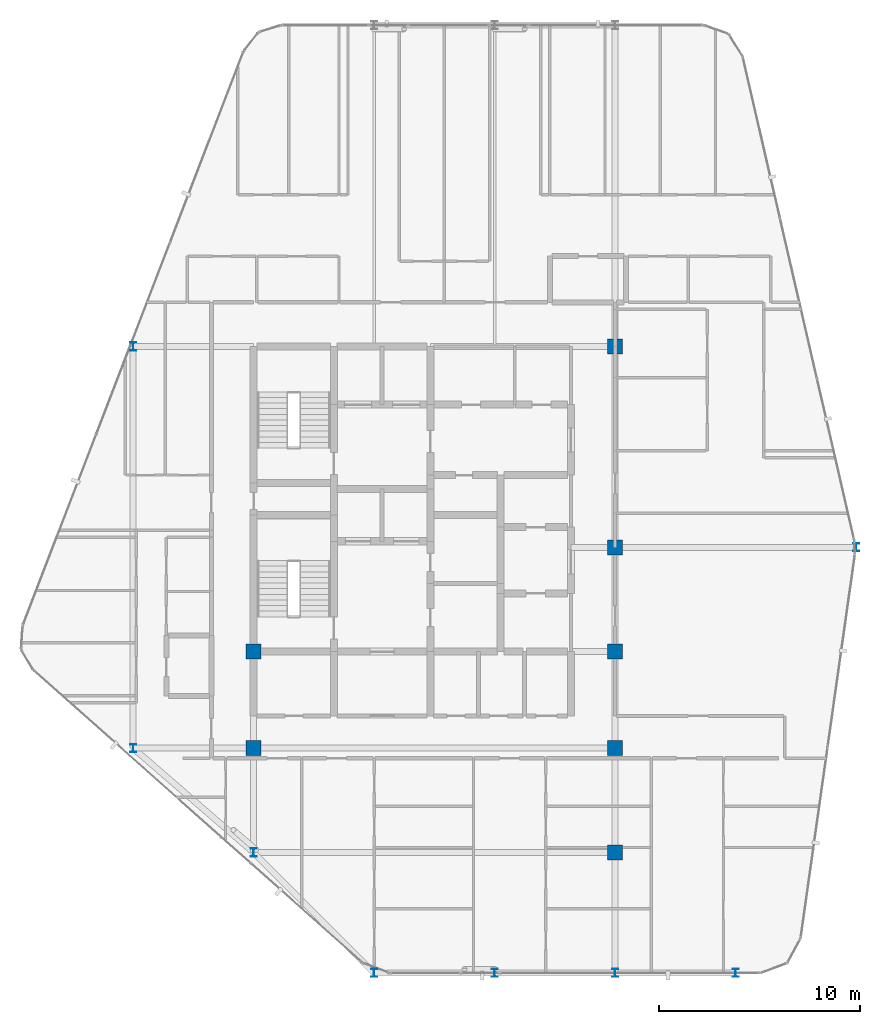
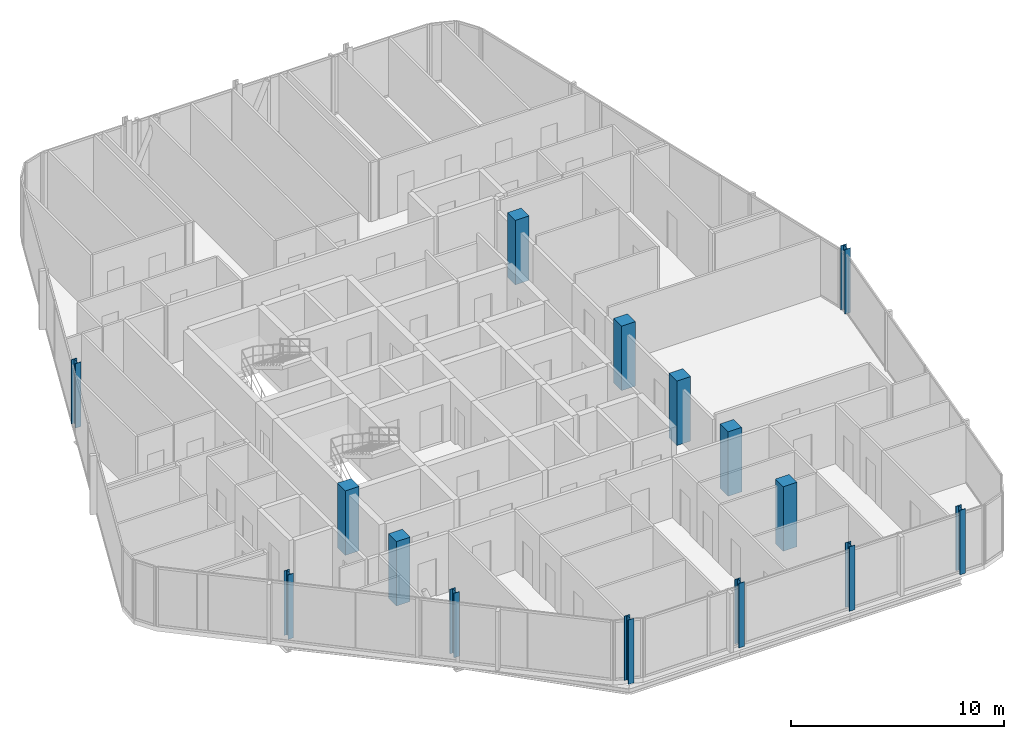
# One storey, part 1 of 28: 15 columns.
"""IFC4 building model written with IfcOpenShell, lengths in metres."""

import ifcopenshell
import ifcopenshell.guid

model = None  # the IFC model being written
_history = None  # IfcOwnerHistory: only IFC2X3 demands one
_inside = {}  # id of a spatial element -> (the spatial element, [elements in it])
_under = {}  # id of a project, library or spatial element -> (it, [spatial elements below it])
_declared = {}  # id of a project -> (the project, [libraries it declares])
_typed = {}  # id of a type object -> (the type object, [elements of that type])
_made_of = {}  # id of a material, layer set ... -> (it, [elements and type objects made of it])


def new_model(schema):
    """Start an empty IFC model of exactly this schema.

    Asked for "IFC4X3", IfcOpenShell would pick the latest addendum, in which some entities
    have other attributes; the version numbers below select the first issue.
    IFC2X3 requires an IfcOwnerHistory on every rooted entity: one is made here for all.
    """
    global model, _history
    if schema == "IFC4X3":
        model = ifcopenshell.file(schema_version=(4, 3, 0, 0))
    else:
        model = ifcopenshell.file(schema=schema)
    _inside.clear()
    _under.clear()
    _declared.clear()
    _typed.clear()
    _made_of.clear()
    _history = None
    if model.schema == "IFC2X3":
        org = make("IfcOrganization", Name="unknown")
        user = make(
            "IfcPersonAndOrganization",
            ThePerson=make("IfcPerson", FamilyName="unknown"),
            TheOrganization=org,
        )
        app = make(
            "IfcApplication",
            ApplicationDeveloper=org,
            Version="unknown",
            ApplicationFullName="unknown",
            ApplicationIdentifier="unknown",
        )
        _history = make(
            "IfcOwnerHistory",
            OwningUser=user,
            OwningApplication=app,
            ChangeAction="ADDED",
            CreationDate=0,
        )
    return model


def make(cls, **values):
    """One entity of the class cls with the attributes given. An attribute that is None is left unset."""
    return model.create_entity(
        cls, **{name: value for name, value in values.items() if value is not None}
    )


def rooted(cls, **values):
    """An entity with a GlobalId (a new one), such as an element, a storey or a relation."""
    return make(cls, GlobalId=ifcopenshell.guid.new(), OwnerHistory=_history, **values)


def si_unit(unit_type, name, prefix=None):
    """IfcSIUnit, for example si_unit("LENGTHUNIT", "METRE", prefix="MILLI")."""
    return make("IfcSIUnit", UnitType=unit_type, Prefix=prefix, Name=name)


def assignment(units):
    """IfcUnitAssignment: the units of a project."""
    return None if units is None else make("IfcUnitAssignment", Units=units)


def point(xyz):
    """IfcCartesianPoint."""
    return None if xyz is None else make("IfcCartesianPoint", Coordinates=xyz)


def direction(xyz):
    """IfcDirection."""
    return None if xyz is None else make("IfcDirection", DirectionRatios=xyz)


def frame(location, z_axis=None, x_axis=None):
    """IfcAxis2Placement3D, a coordinate frame: its origin and axes. An axis left out is left unset."""
    return make(
        "IfcAxis2Placement3D",
        Location=point(location),
        Axis=direction(z_axis),
        RefDirection=direction(x_axis),
    )


def frame_2d(location, x_axis=None):
    """IfcAxis2Placement2D, a coordinate frame in the plane: its origin and x axis."""
    return make(
        "IfcAxis2Placement2D", Location=point(location), RefDirection=direction(x_axis)
    )


def origin():
    """The frame at (0, 0, 0) with its axes left unset."""
    return frame((0.0, 0.0, 0.0))


def origin_2d():
    """The frame at (0, 0) in the plane with its x axis left unset."""
    return frame_2d((0.0, 0.0))


def place(relative_to, where):
    """IfcLocalPlacement: puts the frame where relative to a parent placement (None: the world)."""
    return make(
        "IfcLocalPlacement", PlacementRelTo=relative_to, RelativePlacement=where
    )


def context(
    kind, dimensions, precision=None, world=None, true_north=None, identifier=None
):
    """IfcGeometricRepresentationContext, for example the 3D "Model" context."""
    return make(
        "IfcGeometricRepresentationContext",
        ContextIdentifier=identifier,
        ContextType=kind,
        CoordinateSpaceDimension=dimensions,
        Precision=precision,
        WorldCoordinateSystem=world,
        TrueNorth=true_north,
    )


def subcontext(parent, identifier, kind, view, scale=None):
    """IfcGeometricRepresentationSubContext, for example "Body" below "Model"."""
    return make(
        "IfcGeometricRepresentationSubContext",
        ContextIdentifier=identifier,
        ContextType=kind,
        ParentContext=parent,
        TargetScale=scale,
        TargetView=view,
    )


def project(units=None, contexts=None):
    """IfcProject with its units and contexts."""
    return rooted(
        "IfcProject",
        Name="project",
        RepresentationContexts=contexts,
        UnitsInContext=assignment(units),
    )


def spatial(cls, under=None, at=None, **own):
    """A site, building, storey or space (cls), placed at a placement, below another one or the project."""
    s = rooted(cls, ObjectPlacement=at, **own)
    if under is not None:
        _under.setdefault(under.id(), (under, []))[1].append(s)
    return s


def profile(cls, at=None, kind="AREA", **sizes):
    """A parametric profile (cls). Its sizes go by their IFC names, for example OverallWidth=200.0."""
    return make(cls, ProfileType=kind, Position=at, **sizes)


def rectangle(**sizes):
    """IfcRectangleProfileDef."""
    return profile("IfcRectangleProfileDef", **sizes)


def i_section(**sizes):
    """IfcIShapeProfileDef."""
    return profile("IfcIShapeProfileDef", **sizes)


def extrude(swept, where, along, depth):
    """IfcExtrudedAreaSolid: the profile swept, set in the frame where, extruded along a direction by depth."""
    return make(
        "IfcExtrudedAreaSolid",
        SweptArea=swept,
        Position=where,
        ExtrudedDirection=direction(along),
        Depth=depth,
    )


def shape(context_of_items, identifier, shape_type, items):
    """IfcShapeRepresentation: the items that make up one representation, for example the "Body"."""
    return make(
        "IfcShapeRepresentation",
        ContextOfItems=context_of_items,
        RepresentationIdentifier=identifier,
        RepresentationType=shape_type,
        Items=items,
    )


def material(Name=None, Category=None):
    """IfcMaterial."""
    return make("IfcMaterial", Name=Name, Category=Category)


def material_profile(
    of_material, cross_section, Name=None, Category=None, Priority=None
):
    """IfcMaterialProfile: a cross section and its material."""
    return make(
        "IfcMaterialProfile",
        Name=Name,
        Material=of_material,
        Profile=cross_section,
        Priority=Priority,
        Category=Category,
    )


def profile_set(profiles, Name=None, composite=None):
    """IfcMaterialProfileSet."""
    return make(
        "IfcMaterialProfileSet",
        Name=Name,
        MaterialProfiles=profiles,
        CompositeProfile=composite,
    )


def made_of(thing, what):
    """Note that an element or type object is made of a material, layer set ...; save() writes the relation."""
    if what is not None:
        _made_of.setdefault(what.id(), (what, []))[1].append(thing)
    return thing


def type_object(cls, material=None, **own):
    """A type object (cls), such as IfcWallType, which elements share."""
    return made_of(rooted(cls, **own), material)


def element(
    cls,
    number,
    at=None,
    inside=None,
    cuts=None,
    type_object=None,
    material=None,
    context=None,
    identifier="Body",
    shape_type=None,
    held_by="IfcProductDefinitionShape",
    body=None,
    shapes=None,
    **own,
):
    """One element of the class cls, such as IfcWall. Its Tag is "e" and its number.

    at: its placement. inside: the storey or other place that contains it. cuts: it is an
    opening in that element (IfcRelVoidsElement). A single representation is given by context,
    identifier, shape_type and body (its items); several are given by shapes. held_by: the class
    of the entity that holds the representations. save() writes the other relations.
    """
    e = rooted(cls, Tag="e%d" % number, ObjectPlacement=at, **own)
    if body is not None:
        shapes = [shape(context, identifier, shape_type, body)]
    if shapes is not None:
        e.Representation = make(held_by, Representations=shapes)
    if inside is not None:
        _inside.setdefault(inside.id(), (inside, []))[1].append(e)
    if cuts is not None:
        rooted(
            "IfcRelVoidsElement", RelatingBuildingElement=cuts, RelatedOpeningElement=e
        )
    if type_object is not None:
        _typed.setdefault(type_object.id(), (type_object, []))[1].append(e)
    return made_of(e, material)


def aggregate(whole, parts):
    """IfcRelAggregates: a whole, such as a stair, and the parts it consists of."""
    return rooted("IfcRelAggregates", RelatingObject=whole, RelatedObjects=parts)


def save(model, path):
    """Write the relations noted so far, then the file.

    IfcRelAggregates (storeys below a building ...), IfcRelContainedInSpatialStructure (elements
    in a storey), IfcRelDefinesByType, IfcRelAssociatesMaterial and IfcRelDeclares: one each for
    every whole, place, type object, material and project.
    """
    for whole, parts in _under.values():
        aggregate(whole, parts)
    for where, things in _inside.values():
        rooted(
            "IfcRelContainedInSpatialStructure",
            RelatedElements=things,
            RelatingStructure=where,
        )
    for kind, things in _typed.values():
        rooted("IfcRelDefinesByType", RelatedObjects=things, RelatingType=kind)
    for what, things in _made_of.values():
        rooted("IfcRelAssociatesMaterial", RelatedObjects=things, RelatingMaterial=what)
    for by, libraries in _declared.values():
        rooted("IfcRelDeclares", RelatingContext=by, RelatedDefinitions=libraries)
    model.write(path)


model = new_model("IFC4")

# Units and contexts
model_context = context("Model", 3, precision=1e-05, world=origin(), true_north=direction((0.0, 1.0)))
body_context = subcontext(model_context, "Body", "Model", "MODEL_VIEW")
ifc_project = project(units=[si_unit("LENGTHUNIT", "METRE"), si_unit("AREAUNIT", "SQUARE_METRE"), si_unit("VOLUMEUNIT", "CUBIC_METRE"), si_unit("PLANEANGLEUNIT", "RADIAN"), si_unit("MASSUNIT", "GRAM", prefix="KILO")], contexts=[model_context])

# Site, building, storey
site_placement = place(None, origin())
site = spatial("IfcSite", under=ifc_project, at=site_placement, CompositionType="ELEMENT")
building_placement = place(site_placement, origin())
building = spatial("IfcBuilding", under=site, at=building_placement, Name="Keshet Zoharim Tower", CompositionType="ELEMENT")
storey_placement = place(building_placement, frame((0.0, 0.0, 251.0)))
storey = spatial("IfcBuildingStorey", under=building, at=storey_placement, Name="L62", CompositionType="ELEMENT", Elevation=251.0)

# Columns
ifc_material_1 = material(Name="Steel S355", Category="steel")
ifc_material_profile_1 = material_profile(ifc_material_1, i_section(OverallWidth=0.300048828125, OverallDepth=0.39990234375, WebThickness=0.013427734375, FlangeThickness=0.02392578125, FilletRadius=0.027099609375, at=origin_2d()), Name="HEB400")
ifc_profile_set_1 = profile_set([ifc_material_profile_1], Name="Steel S355")
column_type_1 = type_object("IfcColumnType", Name="COL-HEB400", PredefinedType="COLUMN", material=ifc_profile_set_1)
for number, where, z_axis, x_axis, name in (
    (1, (9.0, 17.89990234375, 0.0), (0.0, 0.0, 1.0), (1.0, 0.0, 0.0), "L62 Column 2D"),
    (2, (9.0, 37.89990234375, 0.0), (0.0, 0.0, 1.0), (1.0, 0.0, 0.0), "L62 Column 2H"),
    (3, (15.0, 12.699951171875, 0.0), (0.0, 0.0, 1.0), (1.0, 0.0, 0.0), "L62 Column 3C"),
    (4, (21.0, 6.699951171875, 0.0), (0.0, 0.0, 1.0), (1.0, 0.0, 0.0), "L62 Column 4B"),
    (5, (27.0, 6.699951171875, 0.0), (0.0, 0.0, 1.0), (1.0, 0.0, 0.0), "L62 Column 5B"),
    (6, (33.0, 6.699951171875, 0.0), (0.0, 0.0, 1.0), (1.0, 0.0, 0.0), "L62 Column 6B"),
    (7, (39.0, 6.699951171875, 0.0), (0.0, 0.0, 1.0), (1.0, 0.0, 0.0), "L62 Column 7B"),
    (8, (45.0, 27.89990234375, 0.0), (0.0, 0.0, 1.0), (1.0, 0.0, 0.0), "L62 Column 8F"),
):
    element("IfcColumn", number, at=place(storey_placement, frame(where, z_axis=z_axis, x_axis=x_axis)), inside=storey, type_object=column_type_1, Name=name, PredefinedType="COLUMN", context=body_context, shape_type="SweptSolid", body=[
        extrude(i_section(OverallWidth=0.300048828125, OverallDepth=0.39990234375, WebThickness=0.013427734375, FlangeThickness=0.02392578125, FilletRadius=0.027099609375, at=origin_2d()), origin(), (0.0, 0.0, 1.0), 3.699951171875),
    ])
ifc_material_2 = material(Name="Concrete C50/60", Category="concrete")
ifc_material_profile_2 = material_profile(ifc_material_2, rectangle(XDim=0.75, YDim=0.75, at=origin_2d()), Name="RC750x750")
ifc_profile_set_2 = profile_set([ifc_material_profile_2], Name="Concrete C50/60")
column_type_2 = type_object("IfcColumnType", Name="COL-RC750", PredefinedType="COLUMN", material=ifc_profile_set_2)
for number, where, z_axis, x_axis, name in (
    (9, (15.0, 17.89990234375, 0.0), (0.0, 0.0, 1.0), (1.0, 0.0, 0.0), "L62 Column 3D"),
    (10, (15.0, 22.699951171875, 0.0), (0.0, 0.0, 1.0), (1.0, 0.0, 0.0), "L62 Column 3E"),
    (11, (33.0, 12.699951171875, 0.0), (0.0, 0.0, 1.0), (1.0, 0.0, 0.0), "L62 Column 6C"),
    (12, (33.0, 17.89990234375, 0.0), (0.0, 0.0, 1.0), (1.0, 0.0, 0.0), "L62 Column 6D"),
    (13, (33.0, 22.699951171875, 0.0), (0.0, 0.0, 1.0), (1.0, 0.0, 0.0), "L62 Column 6E"),
    (14, (33.0, 27.89990234375, 0.0), (0.0, 0.0, 1.0), (1.0, 0.0, 0.0), "L62 Column 6F"),
    (15, (33.0, 37.89990234375, 0.0), (0.0, 0.0, 1.0), (1.0, 0.0, 0.0), "L62 Column 6H"),
):
    element("IfcColumn", number, at=place(storey_placement, frame(where, z_axis=z_axis, x_axis=x_axis)), inside=storey, type_object=column_type_2, Name=name, PredefinedType="COLUMN", context=body_context, shape_type="SweptSolid", body=[
        extrude(rectangle(XDim=0.75, YDim=0.75, at=origin_2d()), origin(), (0.0, 0.0, 1.0), 3.699951171875),
    ])

save(model, "model.ifc")
